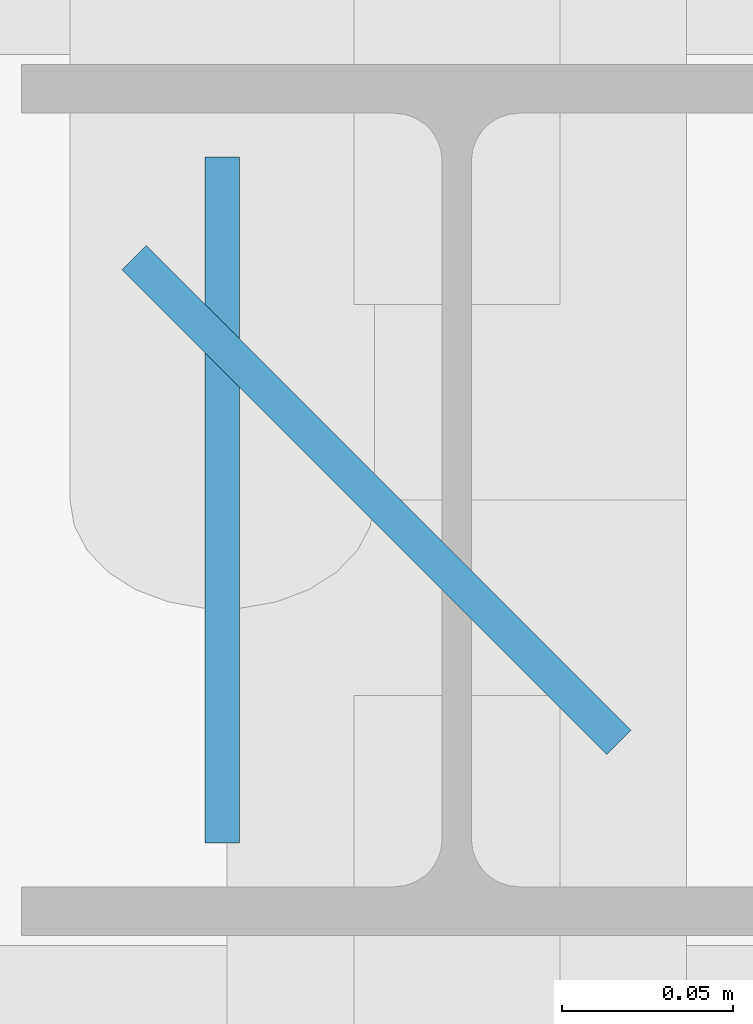
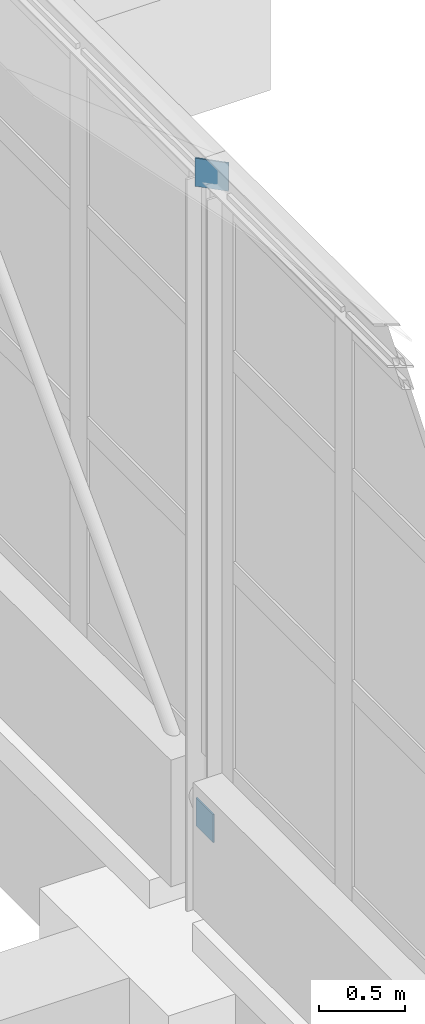
# One storey, part 86 of 106: 2 discrete accessories.
"""IFC4 building model written with IfcOpenShell, lengths in metres."""

import ifcopenshell
import ifcopenshell.guid

model = None  # the IFC model being written
_history = None  # IfcOwnerHistory: only IFC2X3 demands one
_inside = {}  # id of a spatial element -> (the spatial element, [elements in it])
_under = {}  # id of a project, library or spatial element -> (it, [spatial elements below it])
_declared = {}  # id of a project -> (the project, [libraries it declares])
_typed = {}  # id of a type object -> (the type object, [elements of that type])
_made_of = {}  # id of a material, layer set ... -> (it, [elements and type objects made of it])


def new_model(schema):
    """Start an empty IFC model of exactly this schema.

    Asked for "IFC4X3", IfcOpenShell would pick the latest addendum, in which some entities
    have other attributes; the version numbers below select the first issue.
    IFC2X3 requires an IfcOwnerHistory on every rooted entity: one is made here for all.
    """
    global model, _history
    if schema == "IFC4X3":
        model = ifcopenshell.file(schema_version=(4, 3, 0, 0))
    else:
        model = ifcopenshell.file(schema=schema)
    _inside.clear()
    _under.clear()
    _declared.clear()
    _typed.clear()
    _made_of.clear()
    _history = None
    if model.schema == "IFC2X3":
        org = make("IfcOrganization", Name="unknown")
        user = make(
            "IfcPersonAndOrganization",
            ThePerson=make("IfcPerson", FamilyName="unknown"),
            TheOrganization=org,
        )
        app = make(
            "IfcApplication",
            ApplicationDeveloper=org,
            Version="unknown",
            ApplicationFullName="unknown",
            ApplicationIdentifier="unknown",
        )
        _history = make(
            "IfcOwnerHistory",
            OwningUser=user,
            OwningApplication=app,
            ChangeAction="ADDED",
            CreationDate=0,
        )
    return model


def make(cls, **values):
    """One entity of the class cls with the attributes given. An attribute that is None is left unset."""
    return model.create_entity(
        cls, **{name: value for name, value in values.items() if value is not None}
    )


def rooted(cls, **values):
    """An entity with a GlobalId (a new one), such as an element, a storey or a relation."""
    return make(cls, GlobalId=ifcopenshell.guid.new(), OwnerHistory=_history, **values)


def si_unit(unit_type, name, prefix=None):
    """IfcSIUnit, for example si_unit("LENGTHUNIT", "METRE", prefix="MILLI")."""
    return make("IfcSIUnit", UnitType=unit_type, Prefix=prefix, Name=name)


def assignment(units):
    """IfcUnitAssignment: the units of a project."""
    return None if units is None else make("IfcUnitAssignment", Units=units)


def point(xyz):
    """IfcCartesianPoint."""
    return None if xyz is None else make("IfcCartesianPoint", Coordinates=xyz)


def direction(xyz):
    """IfcDirection."""
    return None if xyz is None else make("IfcDirection", DirectionRatios=xyz)


def frame(location, z_axis=None, x_axis=None):
    """IfcAxis2Placement3D, a coordinate frame: its origin and axes. An axis left out is left unset."""
    return make(
        "IfcAxis2Placement3D",
        Location=point(location),
        Axis=direction(z_axis),
        RefDirection=direction(x_axis),
    )


def frame_2d(location, x_axis=None):
    """IfcAxis2Placement2D, a coordinate frame in the plane: its origin and x axis."""
    return make(
        "IfcAxis2Placement2D", Location=point(location), RefDirection=direction(x_axis)
    )


def origin():
    """The frame at (0, 0, 0) with its axes left unset."""
    return frame((0.0, 0.0, 0.0))


def origin_2d():
    """The frame at (0, 0) in the plane with its x axis left unset."""
    return frame_2d((0.0, 0.0))


def place(relative_to, where):
    """IfcLocalPlacement: puts the frame where relative to a parent placement (None: the world)."""
    return make(
        "IfcLocalPlacement", PlacementRelTo=relative_to, RelativePlacement=where
    )


def context(
    kind, dimensions, precision=None, world=None, true_north=None, identifier=None
):
    """IfcGeometricRepresentationContext, for example the 3D "Model" context."""
    return make(
        "IfcGeometricRepresentationContext",
        ContextIdentifier=identifier,
        ContextType=kind,
        CoordinateSpaceDimension=dimensions,
        Precision=precision,
        WorldCoordinateSystem=world,
        TrueNorth=true_north,
    )


def subcontext(parent, identifier, kind, view, scale=None):
    """IfcGeometricRepresentationSubContext, for example "Body" below "Model"."""
    return make(
        "IfcGeometricRepresentationSubContext",
        ContextIdentifier=identifier,
        ContextType=kind,
        ParentContext=parent,
        TargetScale=scale,
        TargetView=view,
    )


def project(units=None, contexts=None):
    """IfcProject with its units and contexts."""
    return rooted(
        "IfcProject",
        Name="project",
        RepresentationContexts=contexts,
        UnitsInContext=assignment(units),
    )


def spatial(cls, under=None, at=None, **own):
    """A site, building, storey or space (cls), placed at a placement, below another one or the project."""
    s = rooted(cls, ObjectPlacement=at, **own)
    if under is not None:
        _under.setdefault(under.id(), (under, []))[1].append(s)
    return s


def profile(cls, at=None, kind="AREA", **sizes):
    """A parametric profile (cls). Its sizes go by their IFC names, for example OverallWidth=200.0."""
    return make(cls, ProfileType=kind, Position=at, **sizes)


def rectangle(**sizes):
    """IfcRectangleProfileDef."""
    return profile("IfcRectangleProfileDef", **sizes)


def extrude(swept, where, along, depth):
    """IfcExtrudedAreaSolid: the profile swept, set in the frame where, extruded along a direction by depth."""
    return make(
        "IfcExtrudedAreaSolid",
        SweptArea=swept,
        Position=where,
        ExtrudedDirection=direction(along),
        Depth=depth,
    )


def shape(context_of_items, identifier, shape_type, items):
    """IfcShapeRepresentation: the items that make up one representation, for example the "Body"."""
    return make(
        "IfcShapeRepresentation",
        ContextOfItems=context_of_items,
        RepresentationIdentifier=identifier,
        RepresentationType=shape_type,
        Items=items,
    )


def material(Name=None, Category=None):
    """IfcMaterial."""
    return make("IfcMaterial", Name=Name, Category=Category)


def made_of(thing, what):
    """Note that an element or type object is made of a material, layer set ...; save() writes the relation."""
    if what is not None:
        _made_of.setdefault(what.id(), (what, []))[1].append(thing)
    return thing


def type_object(cls, material=None, **own):
    """A type object (cls), such as IfcWallType, which elements share."""
    return made_of(rooted(cls, **own), material)


def element(
    cls,
    number,
    at=None,
    inside=None,
    cuts=None,
    type_object=None,
    material=None,
    context=None,
    identifier="Body",
    shape_type=None,
    held_by="IfcProductDefinitionShape",
    body=None,
    shapes=None,
    **own,
):
    """One element of the class cls, such as IfcWall. Its Tag is "e" and its number.

    at: its placement. inside: the storey or other place that contains it. cuts: it is an
    opening in that element (IfcRelVoidsElement). A single representation is given by context,
    identifier, shape_type and body (its items); several are given by shapes. held_by: the class
    of the entity that holds the representations. save() writes the other relations.
    """
    e = rooted(cls, Tag="e%d" % number, ObjectPlacement=at, **own)
    if body is not None:
        shapes = [shape(context, identifier, shape_type, body)]
    if shapes is not None:
        e.Representation = make(held_by, Representations=shapes)
    if inside is not None:
        _inside.setdefault(inside.id(), (inside, []))[1].append(e)
    if cuts is not None:
        rooted(
            "IfcRelVoidsElement", RelatingBuildingElement=cuts, RelatedOpeningElement=e
        )
    if type_object is not None:
        _typed.setdefault(type_object.id(), (type_object, []))[1].append(e)
    return made_of(e, material)


def aggregate(whole, parts):
    """IfcRelAggregates: a whole, such as a stair, and the parts it consists of."""
    return rooted("IfcRelAggregates", RelatingObject=whole, RelatedObjects=parts)


def save(model, path):
    """Write the relations noted so far, then the file.

    IfcRelAggregates (storeys below a building ...), IfcRelContainedInSpatialStructure (elements
    in a storey), IfcRelDefinesByType, IfcRelAssociatesMaterial and IfcRelDeclares: one each for
    every whole, place, type object, material and project.
    """
    for whole, parts in _under.values():
        aggregate(whole, parts)
    for where, things in _inside.values():
        rooted(
            "IfcRelContainedInSpatialStructure",
            RelatedElements=things,
            RelatingStructure=where,
        )
    for kind, things in _typed.values():
        rooted("IfcRelDefinesByType", RelatedObjects=things, RelatingType=kind)
    for what, things in _made_of.values():
        rooted("IfcRelAssociatesMaterial", RelatedObjects=things, RelatingMaterial=what)
    for by, libraries in _declared.values():
        rooted("IfcRelDeclares", RelatingContext=by, RelatedDefinitions=libraries)
    model.write(path)


model = new_model("IFC4")

# Units and contexts
model_context = context("Model", 3, precision=1e-05, world=origin(), true_north=direction((0.0, 1.0)))
body_context = subcontext(model_context, "Body", "Model", "MODEL_VIEW")
ifc_project = project(units=[si_unit("LENGTHUNIT", "METRE"), si_unit("AREAUNIT", "SQUARE_METRE"), si_unit("VOLUMEUNIT", "CUBIC_METRE"), si_unit("PLANEANGLEUNIT", "RADIAN"), si_unit("MASSUNIT", "GRAM", prefix="KILO")], contexts=[model_context])

# Site, building, storey
site_placement = place(None, origin())
site = spatial("IfcSite", under=ifc_project, at=site_placement, CompositionType="ELEMENT")
building_placement = place(site_placement, origin())
building = spatial("IfcBuilding", under=site, at=building_placement, Name="Hortulan Conservatory and Botanical Research Centre", CompositionType="ELEMENT")
storey_placement = place(building_placement, origin())
storey = spatial("IfcBuildingStorey", under=building, at=storey_placement, Name="L00", CompositionType="ELEMENT", Elevation=0.0)

# Discrete accessories
ifc_material = material(Name="Steel Grade 300 plate (AS/NZS 3678, 280 MPa minimum yield)", Category="steel")
discrete_accessory_type = type_object("IfcDiscreteAccessoryType", Name="End Plate 200x10", PredefinedType="BRACKET", material=ifc_material)
for number, where, z_axis, x_axis, name in (
    (1, (103.431640625, 27.0, 0.39990234375), (0.0, 0.0, 1.0), (0.0, -1.0, 0.0), "Brace end plate"),
    (2, (103.4765625, 27.0, 4.97119140625), (0.0, 0.0, 1.0), (0.707106781187, -0.707106781187, 0.0), "Brace end plate"),
):
    element("IfcDiscreteAccessory", number, at=place(storey_placement, frame(where, z_axis=z_axis, x_axis=x_axis)), inside=storey, type_object=discrete_accessory_type, Name=name, PredefinedType="BRACKET", context=body_context, shape_type="SweptSolid", body=[
        extrude(rectangle(XDim=0.199951171875, YDim=0.010009765625, at=origin_2d()), origin(), (0.0, 0.0, 1.0), 0.199951171875),
    ])

save(model, "model.ifc")
